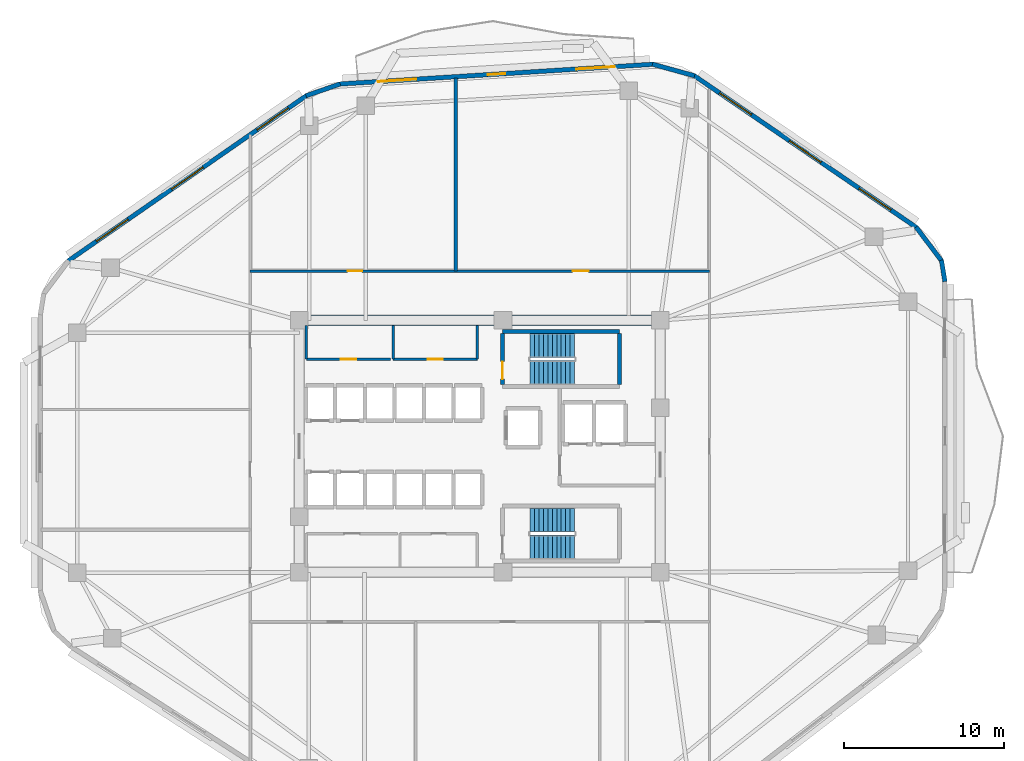
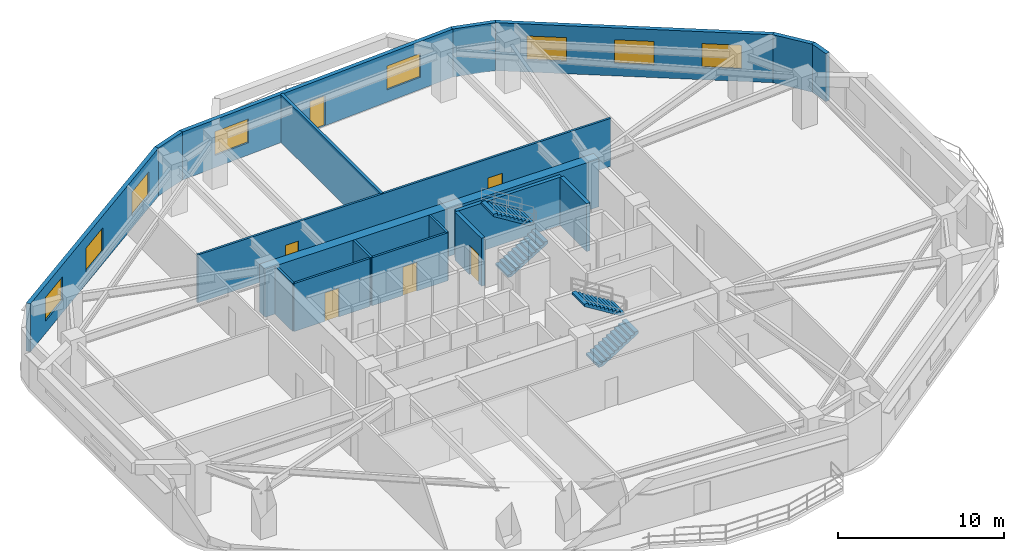
# One storey, part 5 of 8: 18 walls, 8 windows, 6 doors, 4 stair flights, 14 openings, 2 elements without a shape of their own.
"""IFC4 building model written with IfcOpenShell, lengths in metres."""

import ifcopenshell
import ifcopenshell.guid

model = None  # the IFC model being written
_history = None  # IfcOwnerHistory: only IFC2X3 demands one
_inside = {}  # id of a spatial element -> (the spatial element, [elements in it])
_under = {}  # id of a project, library or spatial element -> (it, [spatial elements below it])
_declared = {}  # id of a project -> (the project, [libraries it declares])
_typed = {}  # id of a type object -> (the type object, [elements of that type])
_made_of = {}  # id of a material, layer set ... -> (it, [elements and type objects made of it])


def new_model(schema):
    """Start an empty IFC model of exactly this schema.

    Asked for "IFC4X3", IfcOpenShell would pick the latest addendum, in which some entities
    have other attributes; the version numbers below select the first issue.
    IFC2X3 requires an IfcOwnerHistory on every rooted entity: one is made here for all.
    """
    global model, _history
    if schema == "IFC4X3":
        model = ifcopenshell.file(schema_version=(4, 3, 0, 0))
    else:
        model = ifcopenshell.file(schema=schema)
    _inside.clear()
    _under.clear()
    _declared.clear()
    _typed.clear()
    _made_of.clear()
    _history = None
    if model.schema == "IFC2X3":
        org = make("IfcOrganization", Name="unknown")
        user = make(
            "IfcPersonAndOrganization",
            ThePerson=make("IfcPerson", FamilyName="unknown"),
            TheOrganization=org,
        )
        app = make(
            "IfcApplication",
            ApplicationDeveloper=org,
            Version="unknown",
            ApplicationFullName="unknown",
            ApplicationIdentifier="unknown",
        )
        _history = make(
            "IfcOwnerHistory",
            OwningUser=user,
            OwningApplication=app,
            ChangeAction="ADDED",
            CreationDate=0,
        )
    return model


def make(cls, **values):
    """One entity of the class cls with the attributes given. An attribute that is None is left unset."""
    return model.create_entity(
        cls, **{name: value for name, value in values.items() if value is not None}
    )


def rooted(cls, **values):
    """An entity with a GlobalId (a new one), such as an element, a storey or a relation."""
    return make(cls, GlobalId=ifcopenshell.guid.new(), OwnerHistory=_history, **values)


def si_unit(unit_type, name, prefix=None):
    """IfcSIUnit, for example si_unit("LENGTHUNIT", "METRE", prefix="MILLI")."""
    return make("IfcSIUnit", UnitType=unit_type, Prefix=prefix, Name=name)


def assignment(units):
    """IfcUnitAssignment: the units of a project."""
    return None if units is None else make("IfcUnitAssignment", Units=units)


def point(xyz):
    """IfcCartesianPoint."""
    return None if xyz is None else make("IfcCartesianPoint", Coordinates=xyz)


def direction(xyz):
    """IfcDirection."""
    return None if xyz is None else make("IfcDirection", DirectionRatios=xyz)


def frame(location, z_axis=None, x_axis=None):
    """IfcAxis2Placement3D, a coordinate frame: its origin and axes. An axis left out is left unset."""
    return make(
        "IfcAxis2Placement3D",
        Location=point(location),
        Axis=direction(z_axis),
        RefDirection=direction(x_axis),
    )


def frame_2d(location, x_axis=None):
    """IfcAxis2Placement2D, a coordinate frame in the plane: its origin and x axis."""
    return make(
        "IfcAxis2Placement2D", Location=point(location), RefDirection=direction(x_axis)
    )


def origin():
    """The frame at (0, 0, 0) with its axes left unset."""
    return frame((0.0, 0.0, 0.0))


def place(relative_to, where):
    """IfcLocalPlacement: puts the frame where relative to a parent placement (None: the world)."""
    return make(
        "IfcLocalPlacement", PlacementRelTo=relative_to, RelativePlacement=where
    )


def context(
    kind, dimensions, precision=None, world=None, true_north=None, identifier=None
):
    """IfcGeometricRepresentationContext, for example the 3D "Model" context."""
    return make(
        "IfcGeometricRepresentationContext",
        ContextIdentifier=identifier,
        ContextType=kind,
        CoordinateSpaceDimension=dimensions,
        Precision=precision,
        WorldCoordinateSystem=world,
        TrueNorth=true_north,
    )


def subcontext(parent, identifier, kind, view, scale=None):
    """IfcGeometricRepresentationSubContext, for example "Body" below "Model"."""
    return make(
        "IfcGeometricRepresentationSubContext",
        ContextIdentifier=identifier,
        ContextType=kind,
        ParentContext=parent,
        TargetScale=scale,
        TargetView=view,
    )


def project(units=None, contexts=None):
    """IfcProject with its units and contexts."""
    return rooted(
        "IfcProject",
        Name="project",
        RepresentationContexts=contexts,
        UnitsInContext=assignment(units),
    )


def spatial(cls, under=None, at=None, **own):
    """A site, building, storey or space (cls), placed at a placement, below another one or the project."""
    s = rooted(cls, ObjectPlacement=at, **own)
    if under is not None:
        _under.setdefault(under.id(), (under, []))[1].append(s)
    return s


def polyline(points):
    """IfcPolyline through the points."""
    return make("IfcPolyline", Points=[point(p) for p in points])


def profile(cls, at=None, kind="AREA", **sizes):
    """A parametric profile (cls). Its sizes go by their IFC names, for example OverallWidth=200.0."""
    return make(cls, ProfileType=kind, Position=at, **sizes)


def rectangle(**sizes):
    """IfcRectangleProfileDef."""
    return profile("IfcRectangleProfileDef", **sizes)


def outline(outer, holes=None, kind="AREA"):
    """IfcArbitraryClosedProfileDef: a profile drawn as a closed curve; with holes, ...WithVoids."""
    if holes is None:
        return make("IfcArbitraryClosedProfileDef", ProfileType=kind, OuterCurve=outer)
    return make(
        "IfcArbitraryProfileDefWithVoids",
        ProfileType=kind,
        OuterCurve=outer,
        InnerCurves=holes,
    )


def extrude(swept, where, along, depth):
    """IfcExtrudedAreaSolid: the profile swept, set in the frame where, extruded along a direction by depth."""
    return make(
        "IfcExtrudedAreaSolid",
        SweptArea=swept,
        Position=where,
        ExtrudedDirection=direction(along),
        Depth=depth,
    )


def shape(context_of_items, identifier, shape_type, items):
    """IfcShapeRepresentation: the items that make up one representation, for example the "Body"."""
    return make(
        "IfcShapeRepresentation",
        ContextOfItems=context_of_items,
        RepresentationIdentifier=identifier,
        RepresentationType=shape_type,
        Items=items,
    )


def material(Name=None, Category=None):
    """IfcMaterial."""
    return make("IfcMaterial", Name=Name, Category=Category)


def layer(
    of_material, thickness, ventilated=None, Name=None, Category=None, Priority=None
):
    """IfcMaterialLayer: one layer of a wall or slab, of a material (None: an air gap)."""
    return make(
        "IfcMaterialLayer",
        Material=of_material,
        LayerThickness=thickness,
        IsVentilated=ventilated,
        Name=Name,
        Category=Category,
        Priority=Priority,
    )


def layer_set(layers, Name=None):
    """IfcMaterialLayerSet."""
    return make("IfcMaterialLayerSet", MaterialLayers=layers, LayerSetName=Name)


def made_of(thing, what):
    """Note that an element or type object is made of a material, layer set ...; save() writes the relation."""
    if what is not None:
        _made_of.setdefault(what.id(), (what, []))[1].append(thing)
    return thing


def type_object(cls, material=None, **own):
    """A type object (cls), such as IfcWallType, which elements share."""
    return made_of(rooted(cls, **own), material)


def element(
    cls,
    number,
    at=None,
    inside=None,
    cuts=None,
    type_object=None,
    material=None,
    context=None,
    identifier="Body",
    shape_type=None,
    held_by="IfcProductDefinitionShape",
    body=None,
    shapes=None,
    **own,
):
    """One element of the class cls, such as IfcWall. Its Tag is "e" and its number.

    at: its placement. inside: the storey or other place that contains it. cuts: it is an
    opening in that element (IfcRelVoidsElement). A single representation is given by context,
    identifier, shape_type and body (its items); several are given by shapes. held_by: the class
    of the entity that holds the representations. save() writes the other relations.
    """
    e = rooted(cls, Tag="e%d" % number, ObjectPlacement=at, **own)
    if body is not None:
        shapes = [shape(context, identifier, shape_type, body)]
    if shapes is not None:
        e.Representation = make(held_by, Representations=shapes)
    if inside is not None:
        _inside.setdefault(inside.id(), (inside, []))[1].append(e)
    if cuts is not None:
        rooted(
            "IfcRelVoidsElement", RelatingBuildingElement=cuts, RelatedOpeningElement=e
        )
    if type_object is not None:
        _typed.setdefault(type_object.id(), (type_object, []))[1].append(e)
    return made_of(e, material)


def fill(opening, filler):
    """IfcRelFillsElement: the door or window that sits in an opening."""
    return rooted(
        "IfcRelFillsElement",
        RelatingOpeningElement=opening,
        RelatedBuildingElement=filler,
    )


def aggregate(whole, parts):
    """IfcRelAggregates: a whole, such as a stair, and the parts it consists of."""
    return rooted("IfcRelAggregates", RelatingObject=whole, RelatedObjects=parts)


def save(model, path):
    """Write the relations noted so far, then the file.

    IfcRelAggregates (storeys below a building ...), IfcRelContainedInSpatialStructure (elements
    in a storey), IfcRelDefinesByType, IfcRelAssociatesMaterial and IfcRelDeclares: one each for
    every whole, place, type object, material and project.
    """
    for whole, parts in _under.values():
        aggregate(whole, parts)
    for where, things in _inside.values():
        rooted(
            "IfcRelContainedInSpatialStructure",
            RelatedElements=things,
            RelatingStructure=where,
        )
    for kind, things in _typed.values():
        rooted("IfcRelDefinesByType", RelatedObjects=things, RelatingType=kind)
    for what, things in _made_of.values():
        rooted("IfcRelAssociatesMaterial", RelatedObjects=things, RelatingMaterial=what)
    for by, libraries in _declared.values():
        rooted("IfcRelDeclares", RelatingContext=by, RelatedDefinitions=libraries)
    model.write(path)


model = new_model("IFC4")

# Units and contexts
model_context = context("Model", 3, precision=1e-05, world=origin(), true_north=direction((0.0, 1.0)))
body_context = subcontext(model_context, "Body", "Model", "MODEL_VIEW")
ifc_project = project(units=[si_unit("LENGTHUNIT", "METRE"), si_unit("AREAUNIT", "SQUARE_METRE"), si_unit("VOLUMEUNIT", "CUBIC_METRE"), si_unit("PLANEANGLEUNIT", "RADIAN"), si_unit("MASSUNIT", "GRAM", prefix="KILO")], contexts=[model_context])

# Site, building, storey
site_placement = place(None, origin())
site = spatial("IfcSite", under=ifc_project, at=site_placement, CompositionType="ELEMENT")
building_placement = place(site_placement, origin())
building = spatial("IfcBuilding", under=site, at=building_placement, Name="Zulverin Broadcast Headquarters", CompositionType="ELEMENT")
storey_placement = place(building_placement, frame((0.0, 0.0, 89.60009765625)))
storey = spatial("IfcBuildingStorey", under=building, at=storey_placement, Name="L22", CompositionType="ELEMENT", Elevation=89.60009765625)

# Walls
ifc_material_1 = material(Name="Acoustic drywall steel stud", Category="steel")
ifc_layer_1 = layer(ifc_material_1, 0.199951171875, Name="Acoustic drywall steel stud", Category="steel")
ifc_layer_set_1 = layer_set([ifc_layer_1], Name="Acoustic drywall steel stud")
wall_type_1 = type_object("IfcWallType", Name="WL-ACOU-200", PredefinedType="PARTITIONING", material=ifc_layer_set_1)
wall_1_placement = place(storey_placement, frame((35.5, 36.14990234375, 0.0), z_axis=(0.0, 0.0, 1.0), x_axis=(0.0, 1.0, 0.0)))
element("IfcWall", 1, at=wall_1_placement, inside=storey, type_object=wall_type_1, Name="L22 Room Partition Wall RP-03", PredefinedType="PARTITIONING", context=body_context, shape_type="SweptSolid", body=[
    extrude(rectangle(XDim=12.0771484375, YDim=0.199951171875, at=frame_2d((6.03857421875, 0.0))), origin(), (0.0, 0.0, 1.0), 3.52490234375),
])
ifc_material_2 = material(Name="Concrete C60/75", Category="concrete")
ifc_layer_2 = layer(ifc_material_2, 0.64990234375, Name="Concrete C60/75", Category="concrete")
ifc_layer_set_2 = layer_set([ifc_layer_2], Name="Concrete C60/75")
wall_type_2 = type_object("IfcWallType", Name="WL-CORE-650", PredefinedType="SHEAR", material=ifc_layer_set_2)
wall_2_placement = place(storey_placement, frame((25.39990234375, 33.074951171875, 0.0), z_axis=(0.0, 0.0, 1.0), x_axis=(1.0, 0.0, 0.0)))
element("IfcWall", 2, at=wall_2_placement, inside=storey, type_object=wall_type_2, Name="L22 Core North Shear Wall", PredefinedType="SHEAR", context=body_context, shape_type="SweptSolid", body=[
    extrude(rectangle(XDim=23.2001953125, YDim=0.64990234375, at=frame_2d((11.60009765625, 0.0))), origin(), (0.0, 0.0, 1.0), 3.52490234375),
])

# Wall, openings, windows
ifc_material_3 = material(Name="Insulated pale-metal clad concrete spandrel C40/50", Category="concrete")
ifc_layer_3 = layer(ifc_material_3, 0.280029296875, Name="Insulated pale-metal clad concrete spandrel C40/50", Category="concrete")
ifc_layer_set_3 = layer_set([ifc_layer_3], Name="Insulated pale-metal clad concrete spandrel C40/50")
wall_type_3 = type_object("IfcWallType", Name="WL-EXT-280", PredefinedType="STANDARD", material=ifc_layer_set_3)
wall_3_placement = place(storey_placement, frame((64.289794921875, 38.8671875, 0.0), z_axis=(0.0, 0.0, 1.0), x_axis=(-0.825755550159, 0.564028165416, 0.0)))
wall_3 = element("IfcWall", 3, at=wall_3_placement, inside=storey, type_object=wall_type_3, Name="L22 Pale-Metal Clad Spandrel Wall 4", PredefinedType="STANDARD", context=body_context, shape_type="SweptSolid", body=[
    extrude(rectangle(XDim=16.848388671875, YDim=0.280029296875, at=frame_2d((8.42431640625, 0.0))), origin(), (0.0, 0.0, 1.0), 3.52490234375),
])
opening_1_placement = place(wall_3_placement, frame((1.94140625, 0.0, 0.89990234375)))
opening_1 = element("IfcOpeningElement", 4, at=opening_1_placement, cuts=wall_3, Name="Opening W-L22-E41", PredefinedType="OPENING", context=body_context, shape_type="SweptSolid", body=[
    extrude(rectangle(XDim=2.39990234375, YDim=1.75, at=frame_2d((1.199951171875, 0.875))), frame((0.0, 0.14990234375, 0.0), z_axis=(0.0, -1.0, 0.0), x_axis=(1.0, 0.0, 0.0)), (0.0, 0.0, 1.0), 0.300048828125),
])
opening_2_placement = place(wall_3_placement, frame((7.22412109375, 0.0, 0.89990234375)))
opening_2 = element("IfcOpeningElement", 5, at=opening_2_placement, cuts=wall_3, Name="Opening W-L22-E42", PredefinedType="OPENING", context=body_context, shape_type="SweptSolid", body=[
    extrude(rectangle(XDim=2.39990234375, YDim=1.75, at=frame_2d((1.199951171875, 0.875))), frame((0.0, 0.14990234375, 0.0), z_axis=(0.0, -1.0, 0.0), x_axis=(1.0, 0.0, 0.0)), (0.0, 0.0, 1.0), 0.300048828125),
])
opening_3_placement = place(wall_3_placement, frame((12.5068359375, 0.0, 0.89990234375)))
opening_3 = element("IfcOpeningElement", 6, at=opening_3_placement, cuts=wall_3, Name="Opening W-L22-E43", PredefinedType="OPENING", context=body_context, shape_type="SweptSolid", body=[
    extrude(rectangle(XDim=2.39990234375, YDim=1.75, at=frame_2d((1.199951171875, 0.875))), frame((0.0, 0.14990234375, 0.0), z_axis=(0.0, -1.0, 0.0), x_axis=(1.0, 0.0, 0.0)), (0.0, 0.0, 1.0), 0.300048828125),
])
ifc_material_4 = material(Name="Pale anodized aluminium frame with solar-control low-E double glazing", Category="aluminium")
window_type = type_object("IfcWindowType", Name="WIN-RIB-2400", PartitioningType="SINGLE_PANEL", PredefinedType="WINDOW", material=ifc_material_4)
window_1_placement = place(opening_1_placement, origin())
window_1 = element("IfcWindow", 7, at=window_1_placement, inside=storey, type_object=window_type, Name="L22 Ribbon Glazing Window 4 1", OverallHeight=1.75, OverallWidth=2.39990234375, PartitioningType="SINGLE_PANEL", PredefinedType="WINDOW", context=body_context, shape_type="SweptSolid", body=[
    extrude(rectangle(XDim=2.39990234375, YDim=1.75, at=frame_2d((1.199951171875, 0.875))), frame((0.0, 0.030029296875, 0.0), z_axis=(0.0, -1.0, 0.0), x_axis=(1.0, 0.0, 0.0)), (0.0, 0.0, 1.0), 0.06005859375),
])
fill(opening_1, window_1)
window_2_placement = place(opening_2_placement, origin())
window_2 = element("IfcWindow", 8, at=window_2_placement, inside=storey, type_object=window_type, Name="L22 Ribbon Glazing Window 4 2", OverallHeight=1.75, OverallWidth=2.39990234375, PartitioningType="SINGLE_PANEL", PredefinedType="WINDOW", context=body_context, shape_type="SweptSolid", body=[
    extrude(rectangle(XDim=2.39990234375, YDim=1.75, at=frame_2d((1.199951171875, 0.875))), frame((0.0, 0.030029296875, 0.0), z_axis=(0.0, -1.0, 0.0), x_axis=(1.0, 0.0, 0.0)), (0.0, 0.0, 1.0), 0.06005859375),
])
fill(opening_2, window_2)
window_3_placement = place(opening_3_placement, origin())
window_3 = element("IfcWindow", 9, at=window_3_placement, inside=storey, type_object=window_type, Name="L22 Ribbon Glazing Window 4 3", OverallHeight=1.75, OverallWidth=2.39990234375, PartitioningType="SINGLE_PANEL", PredefinedType="WINDOW", context=body_context, shape_type="SweptSolid", body=[
    extrude(rectangle(XDim=2.39990234375, YDim=1.75, at=frame_2d((1.199951171875, 0.875))), frame((0.0, 0.030029296875, 0.0), z_axis=(0.0, -1.0, 0.0), x_axis=(1.0, 0.0, 0.0)), (0.0, 0.0, 1.0), 0.06005859375),
])
fill(opening_3, window_3)

# Wall, openings, door, windows
wall_4_placement = place(storey_placement, frame((47.831787109375, 49.0693359375, 0.0), z_axis=(0.0, 0.0, 1.0), x_axis=(-0.998017725054, -0.062933460723, 0.0)))
wall_4 = element("IfcWall", 10, at=wall_4_placement, inside=storey, type_object=wall_type_3, Name="L22 Pale-Metal Clad Spandrel Wall 5", PredefinedType="STANDARD", context=body_context, shape_type="SweptSolid", body=[
    extrude(rectangle(XDim=19.62939453125, YDim=0.280029296875, at=frame_2d((9.814697265625, 0.0))), origin(), (0.0, 0.0, 1.0), 3.52490234375),
])
opening_4_placement = place(wall_4_placement, frame((9.264892578125, 0.0, 0.0)))
opening_4 = element("IfcOpeningElement", 11, at=opening_4_placement, cuts=wall_4, Name="Opening D-L22-TR5", PredefinedType="OPENING", context=body_context, shape_type="SweptSolid", body=[
    extrude(rectangle(XDim=1.10009765625, YDim=2.199951171875, at=frame_2d((0.550048828125, 1.10009765625))), frame((0.0, 0.14990234375, 0.0), z_axis=(0.0, -1.0, 0.0), x_axis=(1.0, 0.0, 0.0)), (0.0, 0.0, 1.0), 0.300048828125),
])
opening_5_placement = place(wall_4_placement, frame((2.40478515625, 0.0, 0.89990234375)))
opening_5 = element("IfcOpeningElement", 12, at=opening_5_placement, cuts=wall_4, Name="Opening W-L22-E51", PredefinedType="OPENING", context=body_context, shape_type="SweptSolid", body=[
    extrude(rectangle(XDim=2.39990234375, YDim=1.75, at=frame_2d((1.199951171875, 0.875))), frame((0.0, 0.14990234375, 0.0), z_axis=(0.0, -1.0, 0.0), x_axis=(1.0, 0.0, 0.0)), (0.0, 0.0, 1.0), 0.300048828125),
])
opening_6_placement = place(wall_4_placement, frame((14.82470703125, 0.0, 0.89990234375)))
opening_6 = element("IfcOpeningElement", 13, at=opening_6_placement, cuts=wall_4, Name="Opening W-L22-E52", PredefinedType="OPENING", context=body_context, shape_type="SweptSolid", body=[
    extrude(rectangle(XDim=2.39990234375, YDim=1.75, at=frame_2d((1.199951171875, 0.875))), frame((0.0, 0.14990234375, 0.0), z_axis=(0.0, -1.0, 0.0), x_axis=(1.0, 0.0, 0.0)), (0.0, 0.0, 1.0), 0.300048828125),
])
ifc_material_5 = material(Name="Thermally broken aluminium glazed", Category="aluminium")
door_type_1 = type_object("IfcDoorType", Name="DR-TERR-1100", OperationType="SINGLE_SWING_RIGHT", PredefinedType="DOOR", material=ifc_material_5)
door_1_placement = place(opening_4_placement, origin())
door_1 = element("IfcDoor", 14, at=door_1_placement, inside=storey, type_object=door_type_1, Name="L22 Planted Terrace Glazed Access Door 5", OperationType="SINGLE_SWING_RIGHT", OverallHeight=2.199951171875, OverallWidth=1.10009765625, PredefinedType="DOOR", context=body_context, shape_type="SweptSolid", body=[
    extrude(rectangle(XDim=1.10009765625, YDim=2.199951171875, at=frame_2d((0.550048828125, 1.10009765625))), frame((0.0, 0.02490234375, 0.0), z_axis=(0.0, -1.0, 0.0), x_axis=(1.0, 0.0, 0.0)), (0.0, 0.0, 1.0), 0.050048828125),
])
fill(opening_4, door_1)
window_4_placement = place(opening_5_placement, origin())
window_4 = element("IfcWindow", 15, at=window_4_placement, inside=storey, type_object=window_type, Name="L22 Ribbon Glazing Window 5 1", OverallHeight=1.75, OverallWidth=2.39990234375, PartitioningType="SINGLE_PANEL", PredefinedType="WINDOW", context=body_context, shape_type="SweptSolid", body=[
    extrude(rectangle(XDim=2.39990234375, YDim=1.75, at=frame_2d((1.199951171875, 0.875))), frame((0.0, 0.030029296875, 0.0), z_axis=(0.0, -1.0, 0.0), x_axis=(1.0, 0.0, 0.0)), (0.0, 0.0, 1.0), 0.06005859375),
])
fill(opening_5, window_4)
window_5_placement = place(opening_6_placement, origin())
window_5 = element("IfcWindow", 16, at=window_5_placement, inside=storey, type_object=window_type, Name="L22 Ribbon Glazing Window 5 2", OverallHeight=1.75, OverallWidth=2.39990234375, PartitioningType="SINGLE_PANEL", PredefinedType="WINDOW", context=body_context, shape_type="SweptSolid", body=[
    extrude(rectangle(XDim=2.39990234375, YDim=1.75, at=frame_2d((1.199951171875, 0.875))), frame((0.0, 0.030029296875, 0.0), z_axis=(0.0, -1.0, 0.0), x_axis=(1.0, 0.0, 0.0)), (0.0, 0.0, 1.0), 0.06005859375),
])
fill(opening_6, window_5)

# Wall, openings, windows
wall_5_placement = place(storey_placement, frame((26.181884765625, 47.11767578125, 0.0), z_axis=(0.0, 0.0, 1.0), x_axis=(-0.821547956627, -0.570139417127, 0.0)))
wall_5 = element("IfcWall", 17, at=wall_5_placement, inside=storey, type_object=wall_type_3, Name="L22 Pale-Metal Clad Spandrel Wall 6", PredefinedType="STANDARD", context=body_context, shape_type="SweptSolid", body=[
    extrude(rectangle(XDim=18.13232421875, YDim=0.280029296875, at=frame_2d((9.066162109375, 0.0))), origin(), (0.0, 0.0, 1.0), 3.52490234375),
])
opening_7_placement = place(wall_5_placement, frame((1.37548828125, 0.0, 0.89990234375)))
opening_7 = element("IfcOpeningElement", 18, at=opening_7_placement, cuts=wall_5, Name="Opening W-L22-E61", PredefinedType="OPENING", context=body_context, shape_type="SweptSolid", body=[
    extrude(rectangle(XDim=2.39990234375, YDim=1.75, at=frame_2d((1.199951171875, 0.875))), frame((0.0, 0.14990234375, 0.0), z_axis=(0.0, -1.0, 0.0), x_axis=(1.0, 0.0, 0.0)), (0.0, 0.0, 1.0), 0.300048828125),
])
opening_8_placement = place(wall_5_placement, frame((7.8662109375, 0.0, 0.89990234375)))
opening_8 = element("IfcOpeningElement", 19, at=opening_8_placement, cuts=wall_5, Name="Opening W-L22-E62", PredefinedType="OPENING", context=body_context, shape_type="SweptSolid", body=[
    extrude(rectangle(XDim=2.39990234375, YDim=1.75, at=frame_2d((1.199951171875, 0.875))), frame((0.0, 0.14990234375, 0.0), z_axis=(0.0, -1.0, 0.0), x_axis=(1.0, 0.0, 0.0)), (0.0, 0.0, 1.0), 0.300048828125),
])
opening_9_placement = place(wall_5_placement, frame((13.576904296875, 0.0, 0.89990234375)))
opening_9 = element("IfcOpeningElement", 20, at=opening_9_placement, cuts=wall_5, Name="Opening W-L22-E63", PredefinedType="OPENING", context=body_context, shape_type="SweptSolid", body=[
    extrude(rectangle(XDim=2.39990234375, YDim=1.75, at=frame_2d((1.199951171875, 0.875))), frame((0.0, 0.14990234375, 0.0), z_axis=(0.0, -1.0, 0.0), x_axis=(1.0, 0.0, 0.0)), (0.0, 0.0, 1.0), 0.300048828125),
])
window_6_placement = place(opening_7_placement, origin())
window_6 = element("IfcWindow", 21, at=window_6_placement, inside=storey, type_object=window_type, Name="L22 Ribbon Glazing Window 6 1", OverallHeight=1.75, OverallWidth=2.39990234375, PartitioningType="SINGLE_PANEL", PredefinedType="WINDOW", context=body_context, shape_type="SweptSolid", body=[
    extrude(rectangle(XDim=2.39990234375, YDim=1.75, at=frame_2d((1.199951171875, 0.875))), frame((0.0, 0.030029296875, 0.0), z_axis=(0.0, -1.0, 0.0), x_axis=(1.0, 0.0, 0.0)), (0.0, 0.0, 1.0), 0.06005859375),
])
fill(opening_7, window_6)
window_7_placement = place(opening_8_placement, origin())
window_7 = element("IfcWindow", 22, at=window_7_placement, inside=storey, type_object=window_type, Name="L22 Ribbon Glazing Window 6 2", OverallHeight=1.75, OverallWidth=2.39990234375, PartitioningType="SINGLE_PANEL", PredefinedType="WINDOW", context=body_context, shape_type="SweptSolid", body=[
    extrude(rectangle(XDim=2.39990234375, YDim=1.75, at=frame_2d((1.199951171875, 0.875))), frame((0.0, 0.030029296875, 0.0), z_axis=(0.0, -1.0, 0.0), x_axis=(1.0, 0.0, 0.0)), (0.0, 0.0, 1.0), 0.06005859375),
])
fill(opening_8, window_7)
window_8_placement = place(opening_9_placement, origin())
window_8 = element("IfcWindow", 23, at=window_8_placement, inside=storey, type_object=window_type, Name="L22 Ribbon Glazing Window 6 3", OverallHeight=1.75, OverallWidth=2.39990234375, PartitioningType="SINGLE_PANEL", PredefinedType="WINDOW", context=body_context, shape_type="SweptSolid", body=[
    extrude(rectangle(XDim=2.39990234375, YDim=1.75, at=frame_2d((1.199951171875, 0.875))), frame((0.0, 0.030029296875, 0.0), z_axis=(0.0, -1.0, 0.0), x_axis=(1.0, 0.0, 0.0)), (0.0, 0.0, 1.0), 0.06005859375),
])
fill(opening_9, window_8)

# Walls
wall_6_placement = place(storey_placement, frame((66.061767578125, 35.491943359375, 0.0), z_axis=(0.0, 0.0, 1.0), x_axis=(-0.161182073582, 0.986924687682, 0.0)))
element("IfcWall", 24, at=wall_6_placement, inside=storey, type_object=wall_type_3, Name="L22 Wind-Shaped Corner Spandrel Wall 3-1", PredefinedType="STANDARD", context=body_context, shape_type="SweptSolid", body=[
    extrude(rectangle(XDim=1.354248046875, YDim=0.280029296875, at=frame_2d((0.67724609375, 0.0))), origin(), (0.0, 0.0, 1.0), 3.52490234375),
])
wall_7_placement = place(storey_placement, frame((65.8701171875, 36.7666015625, 0.0), z_axis=(0.0, 0.0, 1.0), x_axis=(-0.603370463754, 0.797461023166, 0.0)))
element("IfcWall", 25, at=wall_7_placement, inside=storey, type_object=wall_type_3, Name="L22 Wind-Shaped Corner Spandrel Wall 3-2", PredefinedType="STANDARD", context=body_context, shape_type="SweptSolid", body=[
    extrude(rectangle(XDim=2.6728515625, YDim=0.280029296875, at=frame_2d((1.33642578125, 0.0))), origin(), (0.0, 0.0, 1.0), 3.52490234375),
])
wall_8_placement = place(storey_placement, frame((50.419189453125, 48.3505859375, 0.0), z_axis=(0.0, 0.0, 1.0), x_axis=(-0.964254516967, 0.264977784933, 0.0)))
element("IfcWall", 26, at=wall_8_placement, inside=storey, type_object=wall_type_3, Name="L22 Wind-Shaped Corner Spandrel Wall 4-1", PredefinedType="STANDARD", context=body_context, shape_type="SweptSolid", body=[
    extrude(rectangle(XDim=2.73095703125, YDim=0.280029296875, at=frame_2d((1.365478515625, 0.0))), origin(), (0.0, 0.0, 1.0), 3.52490234375),
])
wall_9_placement = place(storey_placement, frame((28.2783203125, 47.841552734375, 0.0), z_axis=(0.0, 0.0, 1.0), x_axis=(-0.9444559001, -0.328638179106, 0.0)))
element("IfcWall", 27, at=wall_9_placement, inside=storey, type_object=wall_type_3, Name="L22 Wind-Shaped Corner Spandrel Wall 5-1", PredefinedType="STANDARD", context=body_context, shape_type="SweptSolid", body=[
    extrude(rectangle(XDim=2.25537109375, YDim=0.280029296875, at=frame_2d((1.127685546875, 0.0))), origin(), (0.0, 0.0, 1.0), 3.52490234375),
])

# Wall, opening, door
ifc_material_6 = material(Name="Fire-rated gypsum stud partition", Category="gypsum")
ifc_layer_4 = layer(ifc_material_6, 0.14990234375, Name="Fire-rated gypsum stud partition", Category="gypsum")
ifc_layer_set_4 = layer_set([ifc_layer_4], Name="Fire-rated gypsum stud partition")
wall_type_4 = type_object("IfcWallType", Name="WL-PART-150", PredefinedType="PARTITIONING", material=ifc_layer_set_4)
wall_10_placement = place(storey_placement, frame((26.169921875, 30.64990234375, 0.0), z_axis=(0.0, 0.0, 1.0), x_axis=(1.0, 0.0, 0.0)))
wall_10 = element("IfcWall", 28, at=wall_10_placement, inside=storey, type_object=wall_type_4, Name="L22 Core Male WC Front Wall", PredefinedType="PARTITIONING", context=body_context, shape_type="SweptSolid", body=[
    extrude(rectangle(XDim=5.260009765625, YDim=0.14990234375, at=frame_2d((2.6298828125, 0.0))), origin(), (0.0, 0.0, 1.0), 3.52490234375),
])
opening_10_placement = place(wall_10_placement, frame((2.155029296875, 0.0, 0.0)))
opening_10 = element("IfcOpeningElement", 29, at=opening_10_placement, cuts=wall_10, Name="Opening D-L22-NC1", PredefinedType="OPENING", context=body_context, shape_type="SweptSolid", body=[
    extrude(rectangle(XDim=0.949951171875, YDim=2.10009765625, at=frame_2d((0.47509765625, 1.050048828125))), frame((0.0, 0.0849609375, 0.0), z_axis=(0.0, -1.0, 0.0), x_axis=(1.0, 0.0, 0.0)), (0.0, 0.0, 1.0), 0.169921875),
])
ifc_material_7 = material(Name="Fire-rated moisture-resistant laminate leaf", Category="wood")
door_type_2 = type_object("IfcDoorType", Name="DR-WC-950", OperationType="SINGLE_SWING_LEFT", PredefinedType="DOOR", material=ifc_material_7)
door_2_placement = place(opening_10_placement, origin())
door_2 = element("IfcDoor", 30, at=door_2_placement, inside=storey, type_object=door_type_2, Name="L22 Male WC Door", OperationType="SINGLE_SWING_LEFT", OverallHeight=2.10009765625, OverallWidth=0.949951171875, PredefinedType="DOOR", context=body_context, shape_type="SweptSolid", body=[
    extrude(rectangle(XDim=0.949951171875, YDim=2.10009765625, at=frame_2d((0.47509765625, 1.050048828125))), frame((0.0, 0.02490234375, 0.0), z_axis=(0.0, -1.0, 0.0), x_axis=(1.0, 0.0, 0.0)), (0.0, 0.0, 1.0), 0.050048828125),
])
fill(opening_10, door_2)

# Wall
wall_11_placement = place(storey_placement, frame((26.169921875, 30.64990234375, 0.0), z_axis=(0.0, 0.0, 1.0), x_axis=(0.0, 1.0, 0.0)))
element("IfcWall", 31, at=wall_11_placement, inside=storey, type_object=wall_type_4, Name="L22 Core Male WC West Wall", PredefinedType="PARTITIONING", context=body_context, shape_type="SweptSolid", body=[
    extrude(rectangle(XDim=2.10009765625, YDim=0.14990234375, at=frame_2d((1.050048828125, 0.0))), origin(), (0.0, 0.0, 1.0), 3.52490234375),
])

# Wall, opening, door
wall_12_placement = place(storey_placement, frame((31.590087890625, 30.64990234375, 0.0), z_axis=(0.0, 0.0, 1.0), x_axis=(1.0, 0.0, 0.0)))
wall_12 = element("IfcWall", 32, at=wall_12_placement, inside=storey, type_object=wall_type_4, Name="L22 Core Accessible WC Front Wall", PredefinedType="PARTITIONING", context=body_context, shape_type="SweptSolid", body=[
    extrude(rectangle(XDim=5.260009765625, YDim=0.14990234375, at=frame_2d((2.6298828125, 0.0))), origin(), (0.0, 0.0, 1.0), 3.52490234375),
])
opening_11_placement = place(wall_12_placement, frame((2.155029296875, 0.0, 0.0)))
opening_11 = element("IfcOpeningElement", 33, at=opening_11_placement, cuts=wall_12, Name="Opening D-L22-NC2", PredefinedType="OPENING", context=body_context, shape_type="SweptSolid", body=[
    extrude(rectangle(XDim=0.949951171875, YDim=2.10009765625, at=frame_2d((0.47509765625, 1.050048828125))), frame((0.0, 0.0849609375, 0.0), z_axis=(0.0, -1.0, 0.0), x_axis=(1.0, 0.0, 0.0)), (0.0, 0.0, 1.0), 0.169921875),
])
door_3_placement = place(opening_11_placement, origin())
door_3 = element("IfcDoor", 34, at=door_3_placement, inside=storey, type_object=door_type_2, Name="L22 Accessible WC Door", OperationType="SINGLE_SWING_RIGHT", OverallHeight=2.10009765625, OverallWidth=0.949951171875, PredefinedType="DOOR", context=body_context, shape_type="SweptSolid", body=[
    extrude(rectangle(XDim=0.949951171875, YDim=2.10009765625, at=frame_2d((0.47509765625, 1.050048828125))), frame((0.0, 0.02490234375, 0.0), z_axis=(0.0, -1.0, 0.0), x_axis=(1.0, 0.0, 0.0)), (0.0, 0.0, 1.0), 0.050048828125),
])
fill(opening_11, door_3)

# Walls
for number, where, z_axis, x_axis, name in (
    (35, (31.590087890625, 30.64990234375, 0.0), (0.0, 0.0, 1.0), (0.0, 1.0, 0.0), "L22 Core Accessible WC West Wall"),
    (36, (36.85009765625, 30.64990234375, 0.0), (0.0, 0.0, 1.0), (0.0, 1.0, 0.0), "L22 Core Accessible WC East Wall"),
):
    element("IfcWall", number, at=place(storey_placement, frame(where, z_axis=z_axis, x_axis=x_axis)), inside=storey, type_object=wall_type_4, Name=name, PredefinedType="PARTITIONING", context=body_context, shape_type="SweptSolid", body=[
        extrude(rectangle(XDim=2.10009765625, YDim=0.14990234375, at=frame_2d((1.050048828125, 0.0))), origin(), (0.0, 0.0, 1.0), 3.52490234375),
    ])

# Wall, openings, doors
wall_13_placement = place(storey_placement, frame((22.64990234375, 36.14990234375, 0.0), z_axis=(0.0, 0.0, 1.0), x_axis=(1.0, 0.0, 0.0)))
wall_13 = element("IfcWall", 37, at=wall_13_placement, inside=storey, type_object=wall_type_4, Name="L22 Gallery Partition Wall CG-09", PredefinedType="PARTITIONING", context=body_context, shape_type="SweptSolid", body=[
    extrude(rectangle(XDim=28.7001953125, YDim=0.14990234375, at=frame_2d((14.35009765625, 0.0))), origin(), (0.0, 0.0, 1.0), 3.52490234375),
])
opening_12_placement = place(wall_13_placement, frame((6.094970703125, 0.0, 0.0)))
opening_12 = element("IfcOpeningElement", 38, at=opening_12_placement, cuts=wall_13, Name="Opening D-L22-01", PredefinedType="OPENING", context=body_context, shape_type="SweptSolid", body=[
    extrude(rectangle(XDim=0.89990234375, YDim=2.10009765625, at=frame_2d((0.449951171875, 1.050048828125))), frame((0.0, 0.0849609375, 0.0), z_axis=(0.0, -1.0, 0.0), x_axis=(1.0, 0.0, 0.0)), (0.0, 0.0, 1.0), 0.169921875),
])
opening_13_placement = place(wall_13_placement, frame((20.155029296875, 0.0, 0.0)))
opening_13 = element("IfcOpeningElement", 39, at=opening_13_placement, cuts=wall_13, Name="Opening D-L22-02", PredefinedType="OPENING", context=body_context, shape_type="SweptSolid", body=[
    extrude(rectangle(XDim=1.0, YDim=2.1201171875, at=frame_2d((0.5, 1.06005859375))), frame((0.0, 0.0849609375, 0.0), z_axis=(0.0, -1.0, 0.0), x_axis=(1.0, 0.0, 0.0)), (0.0, 0.0, 1.0), 0.169921875),
])
ifc_material_8 = material(Name="Hardwood veneer acoustic leaf", Category="wood")
door_type_3 = type_object("IfcDoorType", Name="DR-OFF-1000", OperationType="SINGLE_SWING_LEFT", PredefinedType="DOOR", material=ifc_material_8)
door_4_placement = place(opening_13_placement, origin())
door_4 = element("IfcDoor", 40, at=door_4_placement, inside=storey, type_object=door_type_3, Name="L22 Subtitling Office Door", OperationType="SINGLE_SWING_RIGHT", OverallHeight=2.1201171875, OverallWidth=1.0, PredefinedType="DOOR", context=body_context, shape_type="SweptSolid", body=[
    extrude(rectangle(XDim=1.0, YDim=2.1201171875, at=frame_2d((0.5, 1.06005859375))), frame((0.0, 0.02490234375, 0.0), z_axis=(0.0, -1.0, 0.0), x_axis=(1.0, 0.0, 0.0)), (0.0, 0.0, 1.0), 0.050048828125),
])
fill(opening_13, door_4)
ifc_material_9 = material(Name="Fire-rated hardwood veneer timber leaf", Category="wood")
door_type_4 = type_object("IfcDoorType", Name="DR-ROOM-900", OperationType="SINGLE_SWING_RIGHT", PredefinedType="DOOR", material=ifc_material_9)
door_5_placement = place(opening_12_placement, origin())
door_5 = element("IfcDoor", 41, at=door_5_placement, inside=storey, type_object=door_type_4, Name="L22 Open Plan Newsroom Door", OperationType="SINGLE_SWING_LEFT", OverallHeight=2.10009765625, OverallWidth=0.89990234375, PredefinedType="DOOR", context=body_context, shape_type="SweptSolid", body=[
    extrude(rectangle(XDim=0.89990234375, YDim=2.10009765625, at=frame_2d((0.449951171875, 1.050048828125))), frame((0.0, 0.02490234375, 0.0), z_axis=(0.0, -1.0, 0.0), x_axis=(1.0, 0.0, 0.0)), (0.0, 0.0, 1.0), 0.050048828125),
])
fill(opening_12, door_5)

# Wall
ifc_material_10 = material(Name="Concrete C50/60", Category="concrete")
ifc_layer_5 = layer(ifc_material_10, 0.25, Name="Concrete C50/60", Category="concrete")
ifc_layer_set_5 = layer_set([ifc_layer_5], Name="Concrete C50/60")
wall_type_5 = type_object("IfcWallType", Name="WL-SHAFT-250", PredefinedType="SHEAR", material=ifc_layer_set_5)
wall_14_placement = place(storey_placement, frame((38.425048828125, 32.375, 0.0), z_axis=(0.0, 0.0, 1.0), x_axis=(1.0, 0.0, 0.0)))
element("IfcWall", 42, at=wall_14_placement, inside=storey, type_object=wall_type_5, Name="L22 ST-1 Enclosure Wall N", PredefinedType="SHEAR", context=body_context, shape_type="SweptSolid", body=[
    extrude(rectangle(XDim=7.300048828125, YDim=0.25, at=frame_2d((3.64990234375, 0.0))), origin(), (0.0, 0.0, 1.0), 3.52490234375),
])

# Wall, opening, door
wall_15_placement = place(storey_placement, frame((38.425048828125, 29.050048828125, 0.0), z_axis=(0.0, 0.0, 1.0), x_axis=(0.0, 1.0, 0.0)))
wall_15 = element("IfcWall", 43, at=wall_15_placement, inside=storey, type_object=wall_type_5, Name="L22 ST-1 Enclosure Wall W", PredefinedType="SHEAR", context=body_context, shape_type="SweptSolid", body=[
    extrude(rectangle(XDim=3.199951171875, YDim=0.25, at=frame_2d((1.60009765625, 0.0))), origin(), (0.0, 0.0, 1.0), 3.52490234375),
])
opening_14_placement = place(wall_15_placement, frame((0.35009765625, 0.0, 0.0)))
opening_14 = element("IfcOpeningElement", 44, at=opening_14_placement, cuts=wall_15, Name="Opening D-L22-ST-1", PredefinedType="OPENING", context=body_context, shape_type="SweptSolid", body=[
    extrude(rectangle(XDim=1.10009765625, YDim=2.14990234375, at=frame_2d((0.550048828125, 1.074951171875))), frame((0.0, 0.135009765625, 0.0), z_axis=(0.0, -1.0, 0.0), x_axis=(1.0, 0.0, 0.0)), (0.0, 0.0, 1.0), 0.27001953125),
])
ifc_material_11 = material(Name="Fire-rated steel leaf and frame", Category="steel")
door_type_5 = type_object("IfcDoorType", Name="DR-STAIR-1100", OperationType="SINGLE_SWING_LEFT", PredefinedType="DOOR", material=ifc_material_11)
door_6_placement = place(opening_14_placement, origin())
door_6 = element("IfcDoor", 45, at=door_6_placement, inside=storey, type_object=door_type_5, Name="L22 Exit Stair ST-1 Fire Door", OperationType="SINGLE_SWING_LEFT", OverallHeight=2.14990234375, OverallWidth=1.10009765625, PredefinedType="DOOR", context=body_context, shape_type="SweptSolid", body=[
    extrude(rectangle(XDim=1.10009765625, YDim=2.14990234375, at=frame_2d((0.550048828125, 1.074951171875))), frame((0.0, 0.02490234375, 0.0), z_axis=(0.0, -1.0, 0.0), x_axis=(1.0, 0.0, 0.0)), (0.0, 0.0, 1.0), 0.050048828125),
])
fill(opening_14, door_6)

# Wall
wall_16_placement = place(storey_placement, frame((45.72509765625, 29.050048828125, 0.0), z_axis=(0.0, 0.0, 1.0), x_axis=(0.0, 1.0, 0.0)))
element("IfcWall", 46, at=wall_16_placement, inside=storey, type_object=wall_type_5, Name="L22 ST-1 Enclosure Wall E", PredefinedType="SHEAR", context=body_context, shape_type="SweptSolid", body=[
    extrude(rectangle(XDim=3.199951171875, YDim=0.25, at=frame_2d((1.60009765625, 0.0))), origin(), (0.0, 0.0, 1.0), 3.52490234375),
])

# Stair, stair flights
ifc_material_12 = material(Name="Concrete C40/50", Category="concrete")
stair_type = type_object("IfcStairType", Name="ST-CORE-1500", PredefinedType="HALF_TURN_STAIR", material=ifc_material_12)
stair_1_placement = place(storey_placement, origin())
stair_1 = element("IfcStair", 47, at=stair_1_placement, inside=storey, type_object=stair_type, Name="L22 Core Exit Stair ST-1", PredefinedType="HALF_TURN_STAIR")
stair_flight_type = type_object("IfcStairFlightType", Name="SF-CORE-1500", PredefinedType="STRAIGHT", material=ifc_material_12)
stair_flight_1_placement = place(storey_placement, frame((40.1298828125, 29.800048828125, 0.0), z_axis=(0.0, 0.0, 1.0), x_axis=(1.0, 0.0, 0.0)))
stair_flight_1 = element("IfcStairFlight", 48, at=stair_flight_1_placement, type_object=stair_flight_type, Name="ST-1 flight 1", NumberOfRisers=11, NumberOfTreads=10, PredefinedType="STRAIGHT", RiserHeight=0.172727273, TreadLength=0.28, context=body_context, shape_type="SweptSolid", body=[
    extrude(outline(polyline([(0.0, 0.0), (0.0, 0.172607421875), (0.280029296875, 0.172607421875), (0.280029296875, 0.345458984375), (0.56005859375, 0.345458984375), (0.56005859375, 0.51806640625), (0.840087890625, 0.51806640625), (0.840087890625, 0.69091796875), (1.1201171875, 0.69091796875), (1.1201171875, 0.863525390625), (1.39990234375, 0.863525390625), (1.39990234375, 1.036376953125), (1.679931640625, 1.036376953125), (1.679931640625, 1.208984375), (1.9599609375, 1.208984375), (1.9599609375, 1.3818359375), (2.239990234375, 1.3818359375), (2.239990234375, 1.554443359375), (2.52001953125, 1.554443359375), (2.52001953125, 1.727294921875), (2.800048828125, 1.727294921875), (2.800048828125, 1.89990234375), (2.800048828125, 1.551025390625), (0.285400390625, 0.0), (0.0, 0.0)])), frame((0.0, 0.75, 0.0), z_axis=(0.0, -1.0, 0.0), x_axis=(1.0, 0.0, 0.0)), (0.0, 0.0, 1.0), 1.5),
])
stair_flight_2_placement = place(storey_placement, frame((42.929931640625, 31.5, 1.89990234375), z_axis=(0.0, 0.0, 1.0), x_axis=(-1.0, 0.0, 0.0)))
stair_flight_2 = element("IfcStairFlight", 49, at=stair_flight_2_placement, type_object=stair_flight_type, Name="ST-1 flight 2", NumberOfRisers=11, NumberOfTreads=10, PredefinedType="STRAIGHT", RiserHeight=0.172727273, TreadLength=0.28, context=body_context, shape_type="SweptSolid", body=[
    extrude(outline(polyline([(0.0, 0.0), (0.0, 0.172607421875), (0.280029296875, 0.172607421875), (0.280029296875, 0.345458984375), (0.56005859375, 0.345458984375), (0.56005859375, 0.51806640625), (0.840087890625, 0.51806640625), (0.840087890625, 0.69091796875), (1.1201171875, 0.69091796875), (1.1201171875, 0.863525390625), (1.39990234375, 0.863525390625), (1.39990234375, 1.036376953125), (1.679931640625, 1.036376953125), (1.679931640625, 1.208984375), (1.9599609375, 1.208984375), (1.9599609375, 1.3818359375), (2.239990234375, 1.3818359375), (2.239990234375, 1.554443359375), (2.52001953125, 1.554443359375), (2.52001953125, 1.727294921875), (2.800048828125, 1.727294921875), (2.800048828125, 1.89990234375), (2.800048828125, 1.551025390625), (0.285400390625, 0.0), (0.0, 0.0)])), frame((0.0, 0.75, 0.0), z_axis=(0.0, -1.0, 0.0), x_axis=(1.0, 0.0, 0.0)), (0.0, 0.0, 1.0), 1.5),
])
aggregate(stair_1, [stair_flight_1, stair_flight_2])

stair_2_placement = place(storey_placement, origin())
stair_2 = element("IfcStair", 50, at=stair_2_placement, inside=storey, type_object=stair_type, Name="L22 Core Exit Stair ST-2", PredefinedType="HALF_TURN_STAIR")
stair_flight_3_placement = place(storey_placement, frame((40.1298828125, 18.89990234375, 0.0), z_axis=(0.0, 0.0, 1.0), x_axis=(1.0, 0.0, 0.0)))
stair_flight_3 = element("IfcStairFlight", 51, at=stair_flight_3_placement, type_object=stair_flight_type, Name="ST-2 flight 1", NumberOfRisers=11, NumberOfTreads=10, PredefinedType="STRAIGHT", RiserHeight=0.172727273, TreadLength=0.28, context=body_context, shape_type="SweptSolid", body=[
    extrude(outline(polyline([(0.0, 0.0), (0.0, 0.172607421875), (0.280029296875, 0.172607421875), (0.280029296875, 0.345458984375), (0.56005859375, 0.345458984375), (0.56005859375, 0.51806640625), (0.840087890625, 0.51806640625), (0.840087890625, 0.69091796875), (1.1201171875, 0.69091796875), (1.1201171875, 0.863525390625), (1.39990234375, 0.863525390625), (1.39990234375, 1.036376953125), (1.679931640625, 1.036376953125), (1.679931640625, 1.208984375), (1.9599609375, 1.208984375), (1.9599609375, 1.3818359375), (2.239990234375, 1.3818359375), (2.239990234375, 1.554443359375), (2.52001953125, 1.554443359375), (2.52001953125, 1.727294921875), (2.800048828125, 1.727294921875), (2.800048828125, 1.89990234375), (2.800048828125, 1.551025390625), (0.285400390625, 0.0), (0.0, 0.0)])), frame((0.0, 0.75, 0.0), z_axis=(0.0, -1.0, 0.0), x_axis=(1.0, 0.0, 0.0)), (0.0, 0.0, 1.0), 1.5),
])
stair_flight_4_placement = place(storey_placement, frame((42.929931640625, 20.60009765625, 1.89990234375), z_axis=(0.0, 0.0, 1.0), x_axis=(-1.0, 0.0, 0.0)))
stair_flight_4 = element("IfcStairFlight", 52, at=stair_flight_4_placement, type_object=stair_flight_type, Name="ST-2 flight 2", NumberOfRisers=11, NumberOfTreads=10, PredefinedType="STRAIGHT", RiserHeight=0.172727273, TreadLength=0.28, context=body_context, shape_type="SweptSolid", body=[
    extrude(outline(polyline([(0.0, 0.0), (0.0, 0.172607421875), (0.280029296875, 0.172607421875), (0.280029296875, 0.345458984375), (0.56005859375, 0.345458984375), (0.56005859375, 0.51806640625), (0.840087890625, 0.51806640625), (0.840087890625, 0.69091796875), (1.1201171875, 0.69091796875), (1.1201171875, 0.863525390625), (1.39990234375, 0.863525390625), (1.39990234375, 1.036376953125), (1.679931640625, 1.036376953125), (1.679931640625, 1.208984375), (1.9599609375, 1.208984375), (1.9599609375, 1.3818359375), (2.239990234375, 1.3818359375), (2.239990234375, 1.554443359375), (2.52001953125, 1.554443359375), (2.52001953125, 1.727294921875), (2.800048828125, 1.727294921875), (2.800048828125, 1.89990234375), (2.800048828125, 1.551025390625), (0.285400390625, 0.0), (0.0, 0.0)])), frame((0.0, 0.75, 0.0), z_axis=(0.0, -1.0, 0.0), x_axis=(1.0, 0.0, 0.0)), (0.0, 0.0, 1.0), 1.5),
])
aggregate(stair_2, [stair_flight_3, stair_flight_4])

save(model, "model.ifc")
